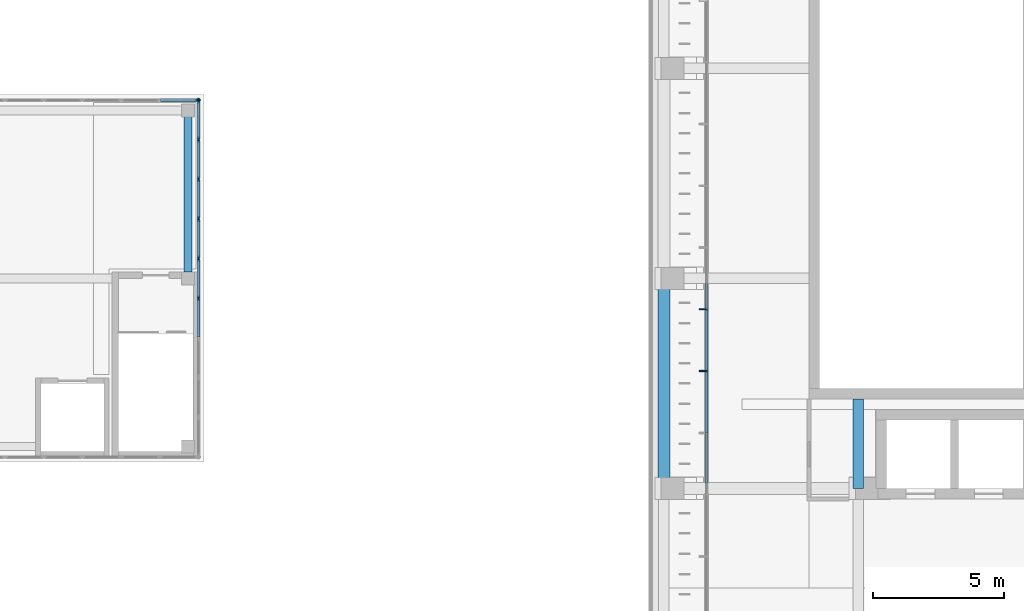
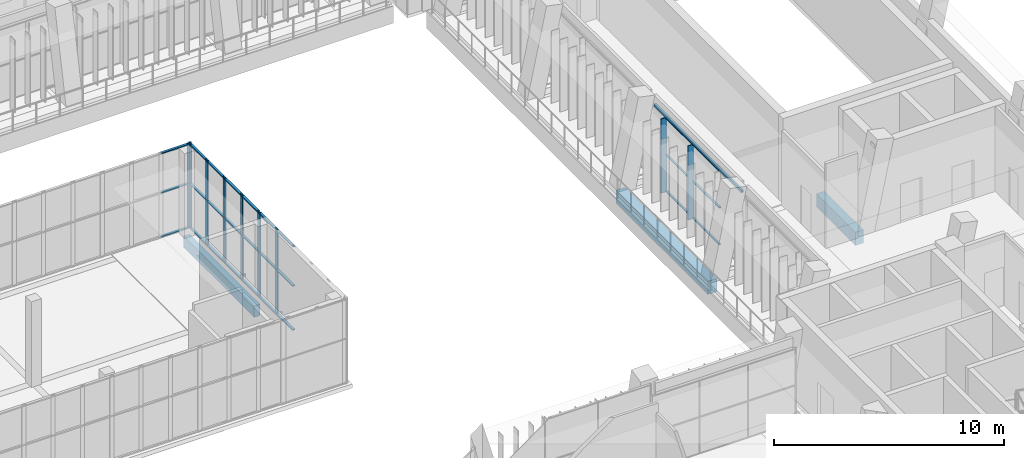
# One storey, part 40 of 92: 36 members, 4 beams, 3 elements without a shape of their own.
"""IFC4 building model written with IfcOpenShell, lengths in metres."""

from ifc_helpers import new_model, si_unit, direction, frame, origin, origin_2d, place, context, subcontext, project, spatial, rectangle, hollow_rectangle, extrude, material, layer, layer_set, material_profile, profile_set, type_object, element, aggregate, save


model = new_model("IFC4")

# Units and contexts
model_context = context("Model", 3, precision=1e-05, world=origin(), true_north=direction((0.0, 1.0)))
body_context = subcontext(model_context, "Body", "Model", "MODEL_VIEW")
ifc_project = project(units=[si_unit("LENGTHUNIT", "METRE"), si_unit("AREAUNIT", "SQUARE_METRE"), si_unit("VOLUMEUNIT", "CUBIC_METRE"), si_unit("PLANEANGLEUNIT", "RADIAN"), si_unit("MASSUNIT", "GRAM", prefix="KILO")], contexts=[model_context])

# Site, building, storey
site_placement = place(None, origin())
site = spatial("IfcSite", under=ifc_project, at=site_placement, CompositionType="ELEMENT")
building_placement = place(site_placement, origin())
building = spatial("IfcBuilding", under=site, at=building_placement, Name="Lantern Court Media Centre", CompositionType="ELEMENT")
storey_placement = place(building_placement, frame((0.0, 0.0, 4.800048828125)))
storey = spatial("IfcBuildingStorey", under=building, at=storey_placement, Name="L01", CompositionType="ELEMENT", Elevation=4.800048828125)

# Curtain wall, members
ifc_material_1 = material(Name="Curtain wall bay 2400")
curtain_wall_type_1 = type_object("IfcCurtainWallType", Name="Curtain wall bay 2400", PredefinedType="NOTDEFINED", material=ifc_material_1)
curtain_wall_1_placement = place(storey_placement, origin())
curtain_wall_1 = element("IfcCurtainWall", 1, at=curtain_wall_1_placement, inside=storey, type_object=curtain_wall_type_1, Name="Curtain wall E inner L01", PredefinedType="NOTDEFINED")
ifc_material_2 = material(Name="Anodised aluminium", Category="aluminium")
ifc_material_profile_1 = material_profile(ifc_material_2, rectangle(XDim=0.300048828125, YDim=0.050048828125, at=origin_2d()), Name="AL 50x300")
ifc_profile_set_1 = profile_set([ifc_material_profile_1], Name="Anodised aluminium")
member_type_1 = type_object("IfcMemberType", Name="Curtain wall mullion 50x300", PredefinedType="MULLION", material=ifc_profile_set_1)
member_1_placement = place(storey_placement, frame((83.030029296875, 76.46923828125, 0.0), z_axis=(0.0, 0.0, 1.0), x_axis=(-1.0, 0.0, 0.0)))
member_1 = element("IfcMember", 2, at=member_1_placement, type_object=member_type_1, Name="CW2 mullion 6", PredefinedType="MULLION", context=body_context, shape_type="SweptSolid", body=[
    extrude(rectangle(XDim=0.300048828125, YDim=0.050048828125, at=origin_2d()), origin(), (0.0, 0.0, 1.0), 3.949951171875),
])
member_2_placement = place(storey_placement, frame((83.030029296875, 78.822998046875, 0.0), z_axis=(0.0, 0.0, 1.0), x_axis=(-1.0, 0.0, 0.0)))
member_2 = element("IfcMember", 3, at=member_2_placement, type_object=member_type_1, Name="CW2 mullion 7", PredefinedType="MULLION", context=body_context, shape_type="SweptSolid", body=[
    extrude(rectangle(XDim=0.300048828125, YDim=0.050048828125, at=origin_2d()), origin(), (0.0, 0.0, 1.0), 3.949951171875),
])
ifc_material_profile_2 = material_profile(ifc_material_2, rectangle(XDim=0.10009765625, YDim=0.050048828125, at=origin_2d()), Name="AL 50x100")
ifc_profile_set_2 = profile_set([ifc_material_profile_2], Name="Anodised aluminium")
member_type_2 = type_object("IfcMemberType", Name="Curtain wall transom 100x50", PredefinedType="USERDEFINED", material=ifc_profile_set_2)
member_3_placement = place(storey_placement, frame((83.14990234375, 74.140380859375, 0.02490234375), z_axis=(0.0, 1.0, 0.0), x_axis=(-1.0, 0.0, 0.0)))
member_3 = element("IfcMember", 4, at=member_3_placement, type_object=member_type_2, Name="CW2 transom 5.1", ObjectType="TRANSOM", PredefinedType="USERDEFINED", context=body_context, shape_type="SweptSolid", body=[
    extrude(rectangle(XDim=0.10009765625, YDim=0.050048828125, at=origin_2d()), origin(), (0.0, 0.0, 1.0), 2.303955078125),
])
member_4_placement = place(storey_placement, frame((83.14990234375, 74.140380859375, 1.974853515625), z_axis=(0.0, 1.0, 0.0), x_axis=(-1.0, 0.0, 0.0)))
member_4 = element("IfcMember", 5, at=member_4_placement, type_object=member_type_2, Name="CW2 transom 5.2", ObjectType="TRANSOM", PredefinedType="USERDEFINED", context=body_context, shape_type="SweptSolid", body=[
    extrude(rectangle(XDim=0.10009765625, YDim=0.050048828125, at=origin_2d()), origin(), (0.0, 0.0, 1.0), 2.303955078125),
])
member_5_placement = place(storey_placement, frame((83.14990234375, 74.140380859375, 3.925048828125), z_axis=(0.0, 1.0, 0.0), x_axis=(-1.0, 0.0, 0.0)))
member_5 = element("IfcMember", 6, at=member_5_placement, type_object=member_type_2, Name="CW2 transom 5.3", ObjectType="TRANSOM", PredefinedType="USERDEFINED", context=body_context, shape_type="SweptSolid", body=[
    extrude(rectangle(XDim=0.10009765625, YDim=0.050048828125, at=origin_2d()), origin(), (0.0, 0.0, 1.0), 2.303955078125),
])
member_6_placement = place(storey_placement, frame((83.14990234375, 76.494140625, 0.02490234375), z_axis=(0.0, 1.0, 0.0), x_axis=(-1.0, 0.0, 0.0)))
member_6 = element("IfcMember", 7, at=member_6_placement, type_object=member_type_2, Name="CW2 transom 6.1", ObjectType="TRANSOM", PredefinedType="USERDEFINED", context=body_context, shape_type="SweptSolid", body=[
    extrude(rectangle(XDim=0.10009765625, YDim=0.050048828125, at=origin_2d()), origin(), (0.0, 0.0, 1.0), 2.303955078125),
])
member_7_placement = place(storey_placement, frame((83.14990234375, 76.494140625, 1.974853515625), z_axis=(0.0, 1.0, 0.0), x_axis=(-1.0, 0.0, 0.0)))
member_7 = element("IfcMember", 8, at=member_7_placement, type_object=member_type_2, Name="CW2 transom 6.2", ObjectType="TRANSOM", PredefinedType="USERDEFINED", context=body_context, shape_type="SweptSolid", body=[
    extrude(rectangle(XDim=0.10009765625, YDim=0.050048828125, at=origin_2d()), origin(), (0.0, 0.0, 1.0), 2.303955078125),
])
member_8_placement = place(storey_placement, frame((83.14990234375, 76.494140625, 3.925048828125), z_axis=(0.0, 1.0, 0.0), x_axis=(-1.0, 0.0, 0.0)))
member_8 = element("IfcMember", 9, at=member_8_placement, type_object=member_type_2, Name="CW2 transom 6.3", ObjectType="TRANSOM", PredefinedType="USERDEFINED", context=body_context, shape_type="SweptSolid", body=[
    extrude(rectangle(XDim=0.10009765625, YDim=0.050048828125, at=origin_2d()), origin(), (0.0, 0.0, 1.0), 2.303955078125),
])
aggregate(curtain_wall_1, [member_1, member_2, member_3, member_4, member_5, member_6, member_7, member_8])

# Beam
ifc_material_3 = material(Name="Steel S355J2 (EN 10025-2)", Category="steel")
ifc_material_profile_3 = material_profile(ifc_material_3, hollow_rectangle(XDim=0.10009765625, YDim=0.14990234375, WallThickness=0.00634765625, InnerFilletRadius=0.00634765625, OuterFilletRadius=0.009521484375, at=origin_2d()), Name="Facade head lintel RHS 150x100x6.3")
ifc_profile_set_3 = profile_set([ifc_material_profile_3], Name="Steel S355J2 (EN 10025-2)")
beam_type_1 = type_object("IfcBeamType", Name="Facade head lintel RHS 150x100x6.3", PredefinedType="BEAM", material=ifc_profile_set_3)
beam_1_placement = place(storey_placement, frame((83.14990234375, 72.199951171875, 4.02490234375), z_axis=(0.0, 1.0, 0.0), x_axis=(-1.0, 0.0, 0.0)))
element("IfcBeam", 10, at=beam_1_placement, inside=storey, type_object=beam_type_1, Name="Facade head lintel E L01", PredefinedType="BEAM", context=body_context, shape_type="SweptSolid", body=[
    extrude(hollow_rectangle(XDim=0.10009765625, YDim=0.14990234375, WallThickness=0.00634765625, InnerFilletRadius=0.00634765625, OuterFilletRadius=0.009521484375, at=origin_2d()), origin(), (0.0, 0.0, 1.0), 7.60009765625),
])

# Curtain wall, member
ifc_material_4 = material(Name="Aluminium and glass", Category="aluminium")
ifc_layer = layer(ifc_material_4, 0.14990234375)
ifc_layer_set = layer_set([ifc_layer], Name="Aluminium and glass")
curtain_wall_type_2 = type_object("IfcCurtainWallType", Name="Hall lancet glazing", PredefinedType="NOTDEFINED", material=ifc_layer_set)
curtain_wall_2_placement = place(storey_placement, origin())
curtain_wall_2 = element("IfcCurtainWall", 11, at=curtain_wall_2_placement, inside=storey, type_object=curtain_wall_type_2, Name="Press box glazing N 3", PredefinedType="NOTDEFINED")
ifc_material_5 = material(Name="Aluminium, anodised", Category="aluminium")
ifc_material_profile_4 = material_profile(ifc_material_5, rectangle(XDim=0.06005859375, YDim=0.199951171875, at=origin_2d()), Name="HM")
ifc_profile_set_4 = profile_set([ifc_material_profile_4], Name="Aluminium, anodised")
member_type_3 = type_object("IfcMemberType", Name="HM", PredefinedType="MULLION", material=ifc_profile_set_4)
member_9_placement = place(storey_placement, frame((63.77001953125, 86.800048828125, 0.0), z_axis=(0.0, 0.0, 1.0), x_axis=(0.0, 1.0, 0.0)))
member_9 = element("IfcMember", 12, at=member_9_placement, type_object=member_type_3, Name="HCW-PN3 mullion 17", PredefinedType="MULLION", context=body_context, shape_type="SweptSolid", body=[
    extrude(rectangle(XDim=0.06005859375, YDim=0.199951171875, at=origin_2d()), origin(), (0.0, 0.0, 1.0), 4.550048828125),
])

# Curtain wall, members
curtain_wall_3_placement = place(storey_placement, origin())
curtain_wall_3 = element("IfcCurtainWall", 13, at=curtain_wall_3_placement, inside=storey, type_object=curtain_wall_type_2, Name="Press box glazing E 3", PredefinedType="NOTDEFINED")
member_10_placement = place(storey_placement, frame((63.800048828125, 79.244384765625, 0.0), z_axis=(0.0, 0.0, 1.0), x_axis=(-1.0, 0.0, 0.0)))
member_10 = element("IfcMember", 14, at=member_10_placement, type_object=member_type_3, Name="HCW-PE3 mullion 5", PredefinedType="MULLION", context=body_context, shape_type="SweptSolid", body=[
    extrude(rectangle(XDim=0.06005859375, YDim=0.199951171875, at=origin_2d()), origin(), (0.0, 0.0, 1.0), 4.550048828125),
])
member_11_placement = place(storey_placement, frame((63.800048828125, 80.755615234375, 0.0), z_axis=(0.0, 0.0, 1.0), x_axis=(-1.0, 0.0, 0.0)))
member_11 = element("IfcMember", 15, at=member_11_placement, type_object=member_type_3, Name="HCW-PE3 mullion 6", PredefinedType="MULLION", context=body_context, shape_type="SweptSolid", body=[
    extrude(rectangle(XDim=0.06005859375, YDim=0.199951171875, at=origin_2d()), origin(), (0.0, 0.0, 1.0), 4.550048828125),
])
member_12_placement = place(storey_placement, frame((63.800048828125, 82.2666015625, 0.0), z_axis=(0.0, 0.0, 1.0), x_axis=(-1.0, 0.0, 0.0)))
member_12 = element("IfcMember", 16, at=member_12_placement, type_object=member_type_3, Name="HCW-PE3 mullion 7", PredefinedType="MULLION", context=body_context, shape_type="SweptSolid", body=[
    extrude(rectangle(XDim=0.06005859375, YDim=0.199951171875, at=origin_2d()), origin(), (0.0, 0.0, 1.0), 4.550048828125),
])
member_13_placement = place(storey_placement, frame((63.800048828125, 83.77783203125, 0.0), z_axis=(0.0, 0.0, 1.0), x_axis=(-1.0, 0.0, 0.0)))
member_13 = element("IfcMember", 17, at=member_13_placement, type_object=member_type_3, Name="HCW-PE3 mullion 8", PredefinedType="MULLION", context=body_context, shape_type="SweptSolid", body=[
    extrude(rectangle(XDim=0.06005859375, YDim=0.199951171875, at=origin_2d()), origin(), (0.0, 0.0, 1.0), 4.550048828125),
])
member_14_placement = place(storey_placement, frame((63.800048828125, 85.288818359375, 0.0), z_axis=(0.0, 0.0, 1.0), x_axis=(-1.0, 0.0, 0.0)))
member_14 = element("IfcMember", 18, at=member_14_placement, type_object=member_type_3, Name="HCW-PE3 mullion 9", PredefinedType="MULLION", context=body_context, shape_type="SweptSolid", body=[
    extrude(rectangle(XDim=0.06005859375, YDim=0.199951171875, at=origin_2d()), origin(), (0.0, 0.0, 1.0), 4.550048828125),
])
member_15_placement = place(storey_placement, frame((63.800048828125, 86.77001953125, 0.0), z_axis=(0.0, 0.0, 1.0), x_axis=(-1.0, 0.0, 0.0)))
member_15 = element("IfcMember", 19, at=member_15_placement, type_object=member_type_3, Name="HCW-PE3 mullion 10", PredefinedType="MULLION", context=body_context, shape_type="SweptSolid", body=[
    extrude(rectangle(XDim=0.06005859375, YDim=0.199951171875, at=origin_2d()), origin(), (0.0, 0.0, 1.0), 4.550048828125),
])

# Member
ifc_material_profile_5 = material_profile(ifc_material_5, rectangle(XDim=0.1201171875, YDim=0.06005859375, at=origin_2d()), Name="HT")
ifc_profile_set_5 = profile_set([ifc_material_profile_5], Name="Aluminium, anodised")
member_type_4 = type_object("IfcMemberType", Name="HT", PredefinedType="USERDEFINED", material=ifc_profile_set_5)
member_16_placement = place(storey_placement, frame((62.35498046875, 86.800048828125, 0.06005859375), z_axis=(1.0, 0.0, 0.0), x_axis=(0.0, 1.0, 0.0)))
member_16 = element("IfcMember", 20, at=member_16_placement, type_object=member_type_4, Name="HCW-PN3 transom 16.1", ObjectType="TRANSOM", PredefinedType="USERDEFINED", context=body_context, shape_type="SweptSolid", body=[
    extrude(rectangle(XDim=0.1201171875, YDim=0.06005859375, at=origin_2d()), origin(), (0.0, 0.0, 1.0), 1.385009765625),
])

member_17_placement = place(storey_placement, frame((62.35498046875, 86.800048828125, 2.39990234375), z_axis=(1.0, 0.0, 0.0), x_axis=(0.0, 1.0, 0.0)))
member_17 = element("IfcMember", 21, at=member_17_placement, type_object=member_type_4, Name="HCW-PN3 transom 16.2", ObjectType="TRANSOM", PredefinedType="USERDEFINED", context=body_context, shape_type="SweptSolid", body=[
    extrude(rectangle(XDim=0.1201171875, YDim=0.06005859375, at=origin_2d()), origin(), (0.0, 0.0, 1.0), 1.385009765625),
])

member_18_placement = place(storey_placement, frame((62.35498046875, 86.800048828125, 4.489990234375), z_axis=(1.0, 0.0, 0.0), x_axis=(0.0, 1.0, 0.0)))
member_18 = element("IfcMember", 22, at=member_18_placement, type_object=member_type_4, Name="HCW-PN3 transom 16.3", ObjectType="TRANSOM", PredefinedType="USERDEFINED", context=body_context, shape_type="SweptSolid", body=[
    extrude(rectangle(XDim=0.1201171875, YDim=0.06005859375, at=origin_2d()), origin(), (0.0, 0.0, 1.0), 1.385009765625),
])

aggregate(curtain_wall_2, [member_9, member_16, member_17, member_18])

member_19_placement = place(storey_placement, frame((63.800048828125, 77.763427734375, 0.06005859375), z_axis=(0.0, 1.0, 0.0), x_axis=(-1.0, 0.0, 0.0)))
member_19 = element("IfcMember", 23, at=member_19_placement, type_object=member_type_4, Name="HCW-PE3 transom 4.1", ObjectType="TRANSOM", PredefinedType="USERDEFINED", context=body_context, shape_type="SweptSolid", body=[
    extrude(rectangle(XDim=0.1201171875, YDim=0.06005859375, at=origin_2d()), origin(), (0.0, 0.0, 1.0), 1.450927734375),
])

member_20_placement = place(storey_placement, frame((63.800048828125, 77.763427734375, 2.39990234375), z_axis=(0.0, 1.0, 0.0), x_axis=(-1.0, 0.0, 0.0)))
member_20 = element("IfcMember", 24, at=member_20_placement, type_object=member_type_4, Name="HCW-PE3 transom 4.2", ObjectType="TRANSOM", PredefinedType="USERDEFINED", context=body_context, shape_type="SweptSolid", body=[
    extrude(rectangle(XDim=0.1201171875, YDim=0.06005859375, at=origin_2d()), origin(), (0.0, 0.0, 1.0), 1.450927734375),
])

member_21_placement = place(storey_placement, frame((63.800048828125, 77.763427734375, 4.489990234375), z_axis=(0.0, 1.0, 0.0), x_axis=(-1.0, 0.0, 0.0)))
member_21 = element("IfcMember", 25, at=member_21_placement, type_object=member_type_4, Name="HCW-PE3 transom 4.3", ObjectType="TRANSOM", PredefinedType="USERDEFINED", context=body_context, shape_type="SweptSolid", body=[
    extrude(rectangle(XDim=0.1201171875, YDim=0.06005859375, at=origin_2d()), origin(), (0.0, 0.0, 1.0), 1.450927734375),
])

member_22_placement = place(storey_placement, frame((63.800048828125, 79.2744140625, 0.06005859375), z_axis=(0.0, 1.0, 0.0), x_axis=(-1.0, 0.0, 0.0)))
member_22 = element("IfcMember", 26, at=member_22_placement, type_object=member_type_4, Name="HCW-PE3 transom 5.1", ObjectType="TRANSOM", PredefinedType="USERDEFINED", context=body_context, shape_type="SweptSolid", body=[
    extrude(rectangle(XDim=0.1201171875, YDim=0.06005859375, at=origin_2d()), origin(), (0.0, 0.0, 1.0), 1.451171875),
])

member_23_placement = place(storey_placement, frame((63.800048828125, 79.2744140625, 2.39990234375), z_axis=(0.0, 1.0, 0.0), x_axis=(-1.0, 0.0, 0.0)))
member_23 = element("IfcMember", 27, at=member_23_placement, type_object=member_type_4, Name="HCW-PE3 transom 5.2", ObjectType="TRANSOM", PredefinedType="USERDEFINED", context=body_context, shape_type="SweptSolid", body=[
    extrude(rectangle(XDim=0.1201171875, YDim=0.06005859375, at=origin_2d()), origin(), (0.0, 0.0, 1.0), 1.451171875),
])

member_24_placement = place(storey_placement, frame((63.800048828125, 79.2744140625, 4.489990234375), z_axis=(0.0, 1.0, 0.0), x_axis=(-1.0, 0.0, 0.0)))
member_24 = element("IfcMember", 28, at=member_24_placement, type_object=member_type_4, Name="HCW-PE3 transom 5.3", ObjectType="TRANSOM", PredefinedType="USERDEFINED", context=body_context, shape_type="SweptSolid", body=[
    extrude(rectangle(XDim=0.1201171875, YDim=0.06005859375, at=origin_2d()), origin(), (0.0, 0.0, 1.0), 1.451171875),
])

member_25_placement = place(storey_placement, frame((63.800048828125, 80.78564453125, 0.06005859375), z_axis=(0.0, 1.0, 0.0), x_axis=(-1.0, 0.0, 0.0)))
member_25 = element("IfcMember", 29, at=member_25_placement, type_object=member_type_4, Name="HCW-PE3 transom 6.1", ObjectType="TRANSOM", PredefinedType="USERDEFINED", context=body_context, shape_type="SweptSolid", body=[
    extrude(rectangle(XDim=0.1201171875, YDim=0.06005859375, at=origin_2d()), origin(), (0.0, 0.0, 1.0), 1.450927734375),
])

member_26_placement = place(storey_placement, frame((63.800048828125, 80.78564453125, 2.39990234375), z_axis=(0.0, 1.0, 0.0), x_axis=(-1.0, 0.0, 0.0)))
member_26 = element("IfcMember", 30, at=member_26_placement, type_object=member_type_4, Name="HCW-PE3 transom 6.2", ObjectType="TRANSOM", PredefinedType="USERDEFINED", context=body_context, shape_type="SweptSolid", body=[
    extrude(rectangle(XDim=0.1201171875, YDim=0.06005859375, at=origin_2d()), origin(), (0.0, 0.0, 1.0), 1.450927734375),
])

member_27_placement = place(storey_placement, frame((63.800048828125, 80.78564453125, 4.489990234375), z_axis=(0.0, 1.0, 0.0), x_axis=(-1.0, 0.0, 0.0)))
member_27 = element("IfcMember", 31, at=member_27_placement, type_object=member_type_4, Name="HCW-PE3 transom 6.3", ObjectType="TRANSOM", PredefinedType="USERDEFINED", context=body_context, shape_type="SweptSolid", body=[
    extrude(rectangle(XDim=0.1201171875, YDim=0.06005859375, at=origin_2d()), origin(), (0.0, 0.0, 1.0), 1.450927734375),
])

member_28_placement = place(storey_placement, frame((63.800048828125, 82.296630859375, 0.06005859375), z_axis=(0.0, 1.0, 0.0), x_axis=(-1.0, 0.0, 0.0)))
member_28 = element("IfcMember", 32, at=member_28_placement, type_object=member_type_4, Name="HCW-PE3 transom 7.1", ObjectType="TRANSOM", PredefinedType="USERDEFINED", context=body_context, shape_type="SweptSolid", body=[
    extrude(rectangle(XDim=0.1201171875, YDim=0.06005859375, at=origin_2d()), origin(), (0.0, 0.0, 1.0), 1.451171875),
])

member_29_placement = place(storey_placement, frame((63.800048828125, 82.296630859375, 2.39990234375), z_axis=(0.0, 1.0, 0.0), x_axis=(-1.0, 0.0, 0.0)))
member_29 = element("IfcMember", 33, at=member_29_placement, type_object=member_type_4, Name="HCW-PE3 transom 7.2", ObjectType="TRANSOM", PredefinedType="USERDEFINED", context=body_context, shape_type="SweptSolid", body=[
    extrude(rectangle(XDim=0.1201171875, YDim=0.06005859375, at=origin_2d()), origin(), (0.0, 0.0, 1.0), 1.451171875),
])

member_30_placement = place(storey_placement, frame((63.800048828125, 82.296630859375, 4.489990234375), z_axis=(0.0, 1.0, 0.0), x_axis=(-1.0, 0.0, 0.0)))
member_30 = element("IfcMember", 34, at=member_30_placement, type_object=member_type_4, Name="HCW-PE3 transom 7.3", ObjectType="TRANSOM", PredefinedType="USERDEFINED", context=body_context, shape_type="SweptSolid", body=[
    extrude(rectangle(XDim=0.1201171875, YDim=0.06005859375, at=origin_2d()), origin(), (0.0, 0.0, 1.0), 1.451171875),
])

member_31_placement = place(storey_placement, frame((63.800048828125, 83.807861328125, 0.06005859375), z_axis=(0.0, 1.0, 0.0), x_axis=(-1.0, 0.0, 0.0)))
member_31 = element("IfcMember", 35, at=member_31_placement, type_object=member_type_4, Name="HCW-PE3 transom 8.1", ObjectType="TRANSOM", PredefinedType="USERDEFINED", context=body_context, shape_type="SweptSolid", body=[
    extrude(rectangle(XDim=0.1201171875, YDim=0.06005859375, at=origin_2d()), origin(), (0.0, 0.0, 1.0), 1.450927734375),
])

member_32_placement = place(storey_placement, frame((63.800048828125, 83.807861328125, 2.39990234375), z_axis=(0.0, 1.0, 0.0), x_axis=(-1.0, 0.0, 0.0)))
member_32 = element("IfcMember", 36, at=member_32_placement, type_object=member_type_4, Name="HCW-PE3 transom 8.2", ObjectType="TRANSOM", PredefinedType="USERDEFINED", context=body_context, shape_type="SweptSolid", body=[
    extrude(rectangle(XDim=0.1201171875, YDim=0.06005859375, at=origin_2d()), origin(), (0.0, 0.0, 1.0), 1.450927734375),
])

member_33_placement = place(storey_placement, frame((63.800048828125, 83.807861328125, 4.489990234375), z_axis=(0.0, 1.0, 0.0), x_axis=(-1.0, 0.0, 0.0)))
member_33 = element("IfcMember", 37, at=member_33_placement, type_object=member_type_4, Name="HCW-PE3 transom 8.3", ObjectType="TRANSOM", PredefinedType="USERDEFINED", context=body_context, shape_type="SweptSolid", body=[
    extrude(rectangle(XDim=0.1201171875, YDim=0.06005859375, at=origin_2d()), origin(), (0.0, 0.0, 1.0), 1.450927734375),
])

member_34_placement = place(storey_placement, frame((63.800048828125, 85.31884765625, 0.06005859375), z_axis=(0.0, 1.0, 0.0), x_axis=(-1.0, 0.0, 0.0)))
member_34 = element("IfcMember", 38, at=member_34_placement, type_object=member_type_4, Name="HCW-PE3 transom 9.1", ObjectType="TRANSOM", PredefinedType="USERDEFINED", context=body_context, shape_type="SweptSolid", body=[
    extrude(rectangle(XDim=0.1201171875, YDim=0.06005859375, at=origin_2d()), origin(), (0.0, 0.0, 1.0), 1.421142578125),
])

member_35_placement = place(storey_placement, frame((63.800048828125, 85.31884765625, 2.39990234375), z_axis=(0.0, 1.0, 0.0), x_axis=(-1.0, 0.0, 0.0)))
member_35 = element("IfcMember", 39, at=member_35_placement, type_object=member_type_4, Name="HCW-PE3 transom 9.2", ObjectType="TRANSOM", PredefinedType="USERDEFINED", context=body_context, shape_type="SweptSolid", body=[
    extrude(rectangle(XDim=0.1201171875, YDim=0.06005859375, at=origin_2d()), origin(), (0.0, 0.0, 1.0), 1.421142578125),
])

member_36_placement = place(storey_placement, frame((63.800048828125, 85.31884765625, 4.489990234375), z_axis=(0.0, 1.0, 0.0), x_axis=(-1.0, 0.0, 0.0)))
member_36 = element("IfcMember", 40, at=member_36_placement, type_object=member_type_4, Name="HCW-PE3 transom 9.3", ObjectType="TRANSOM", PredefinedType="USERDEFINED", context=body_context, shape_type="SweptSolid", body=[
    extrude(rectangle(XDim=0.1201171875, YDim=0.06005859375, at=origin_2d()), origin(), (0.0, 0.0, 1.0), 1.421142578125),
])

aggregate(curtain_wall_3, [member_10, member_11, member_12, member_13, member_14, member_15, member_19, member_20, member_21, member_22, member_23, member_24, member_25, member_26, member_27, member_28, member_29, member_30, member_31, member_32, member_33, member_34, member_35, member_36])

# Beams
ifc_material_6 = material(Name="Concrete C35", Category="concrete")
ifc_material_profile_6 = material_profile(ifc_material_6, rectangle(XDim=0.300048828125, YDim=0.60009765625, at=origin_2d()), Name="RC 300x600")
ifc_profile_set_6 = profile_set([ifc_material_profile_6], Name="Concrete C35")
beam_type_2 = type_object("IfcBeamType", Name="RC BEAM 300x600", PredefinedType="BEAM", material=ifc_profile_set_6)
beam_2_placement = place(storey_placement, frame((63.39990234375, 80.25, -0.300048828125), z_axis=(0.0, 1.0, 0.0), x_axis=(-1.0, 0.0, 0.0)))
element("IfcBeam", 41, at=beam_2_placement, inside=storey, type_object=beam_type_2, Name="PB-PRESS-L01-Y2-1", PredefinedType="BEAM", context=body_context, shape_type="SweptSolid", body=[
    extrude(rectangle(XDim=0.300048828125, YDim=0.60009765625, at=origin_2d()), origin(), (0.0, 0.0, 1.0), 6.14990234375),
])
ifc_material_profile_7 = material_profile(ifc_material_6, rectangle(XDim=0.39990234375, YDim=0.699951171875, at=origin_2d()), Name="RC 400x700")
ifc_profile_set_7 = profile_set([ifc_material_profile_7], Name="Concrete C35")
beam_type_3 = type_object("IfcBeamType", Name="RC BEAM 400x700", PredefinedType="BEAM", material=ifc_profile_set_7)
beam_3_placement = place(storey_placement, frame((88.927001953125, 72.0, -0.35009765625), z_axis=(0.0, 1.0, 0.0), x_axis=(-1.0, 0.0, 0.0)))
element("IfcBeam", 42, at=beam_3_placement, inside=storey, type_object=beam_type_3, Name="LB-E-L01-1-1", PredefinedType="BEAM", context=body_context, shape_type="SweptSolid", body=[
    extrude(rectangle(XDim=0.39990234375, YDim=0.699951171875, at=origin_2d()), origin(), (0.0, 0.0, 1.0), 3.39990234375),
])
ifc_material_profile_8 = material_profile(ifc_material_6, rectangle(XDim=0.449951171875, YDim=0.699951171875, at=origin_2d()), Name="RC 450x700")
ifc_profile_set_8 = profile_set([ifc_material_profile_8], Name="Concrete C35")
beam_type_4 = type_object("IfcBeamType", Name="RC BEAM 450x700", PredefinedType="BEAM", material=ifc_profile_set_8)
beam_4_placement = place(storey_placement, frame((81.527099609375, 72.0, -0.35009765625), z_axis=(0.0, 1.0, 0.0), x_axis=(-1.0, 0.0, 0.0)))
element("IfcBeam", 43, at=beam_4_placement, inside=storey, type_object=beam_type_4, Name="LB-E-L01-0-1", PredefinedType="BEAM", context=body_context, shape_type="SweptSolid", body=[
    extrude(rectangle(XDim=0.449951171875, YDim=0.699951171875, at=origin_2d()), origin(), (0.0, 0.0, 1.0), 8.0),
])

save(model, "model.ifc")
